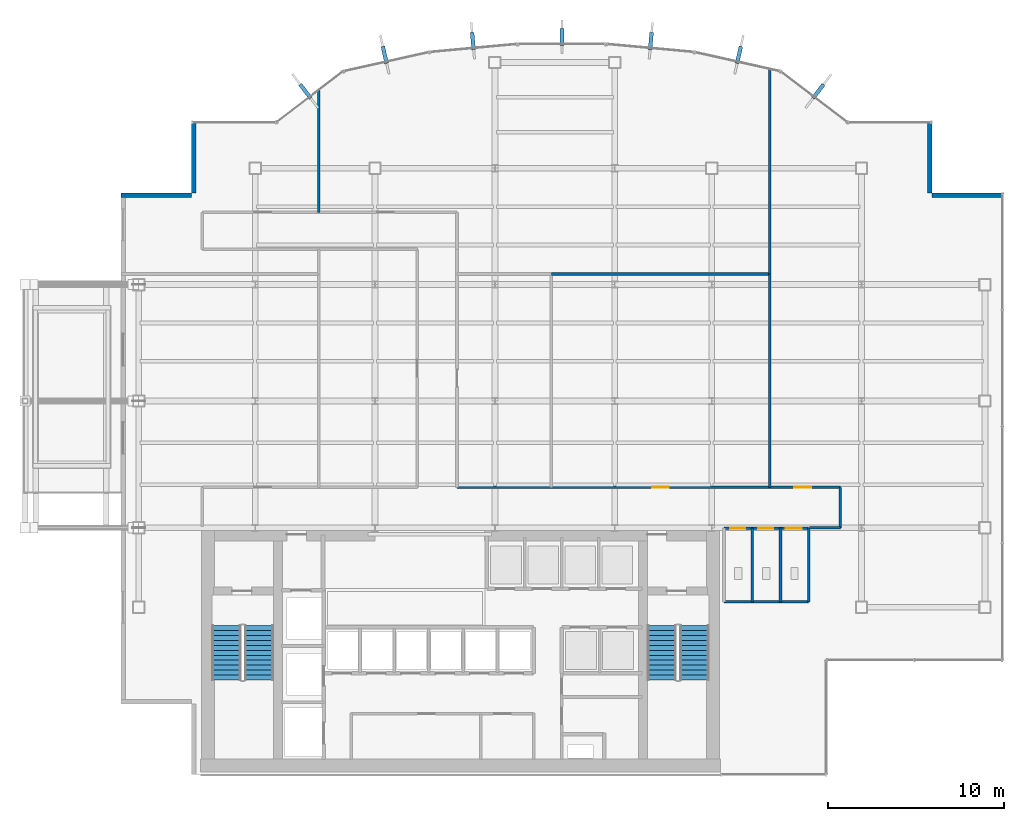
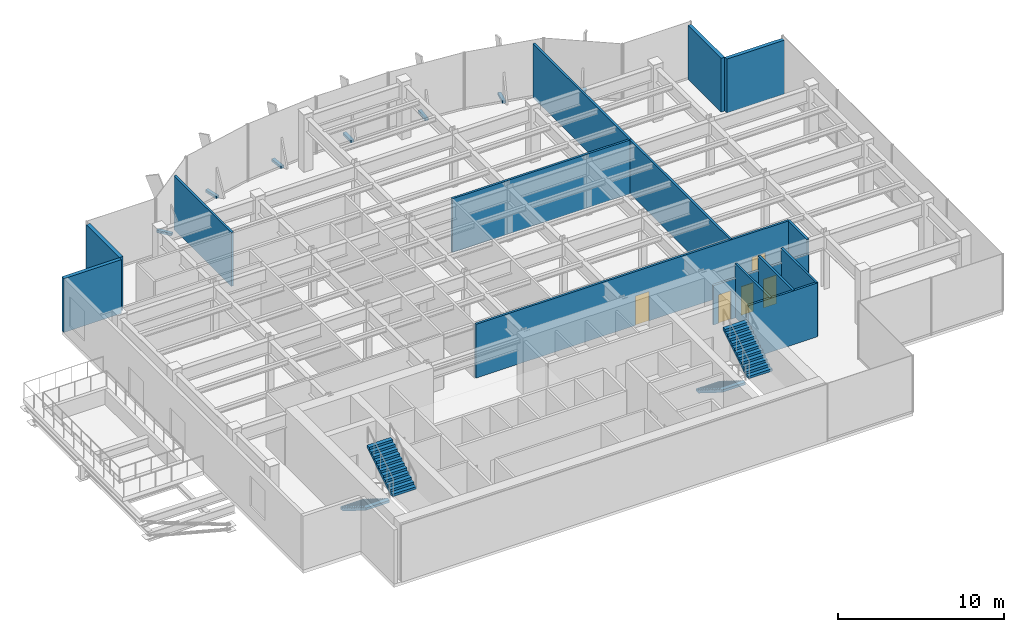
# One storey, part 20 of 26: 16 walls, 7 discrete accessories, 5 doors, 4 stair flights, 5 openings, 2 elements without a shape of their own.
"""IFC4 building model written with IfcOpenShell, lengths in metres."""

from ifc_helpers import new_model, si_unit, derived_unit, direction, frame, frame_2d, origin, origin_2d, place, context, subcontext, project, spatial, polyline, rectangle, outline, extrude, source, transform, mapped, material, layer, layer_set, type_object, element, fill, aggregate, save


model = new_model("IFC4")

# Units and contexts
model_context = context("Model", 3, precision=1e-05, world=origin(), true_north=direction((0.0, 1.0)))
body_context = subcontext(model_context, "Body", "Model", "MODEL_VIEW")
ifc_project = project(units=[si_unit("LENGTHUNIT", "METRE"), si_unit("AREAUNIT", "SQUARE_METRE"), si_unit("VOLUMEUNIT", "CUBIC_METRE"), si_unit("PLANEANGLEUNIT", "RADIAN"), si_unit("MASSUNIT", "GRAM", prefix="KILO"), derived_unit("THERMALTRANSMITTANCEUNIT", [(si_unit("POWERUNIT", "WATT"), 1), (si_unit("LENGTHUNIT", "METRE"), -2), (si_unit("THERMODYNAMICTEMPERATUREUNIT", "KELVIN"), -1)])], contexts=[model_context])

# Site, building, storey
site_placement = place(None, origin())
site = spatial("IfcSite", under=ifc_project, at=site_placement, CompositionType="ELEMENT")
building_placement = place(site_placement, origin())
building = spatial("IfcBuilding", under=site, at=building_placement, Name="Skarnbrae Concourse Arena and Tower", CompositionType="ELEMENT")
storey_placement = place(building_placement, frame((0.0, 0.0, 184.39990234375)))
storey = spatial("IfcBuildingStorey", under=building, at=storey_placement, Name="L47", CompositionType="ELEMENT", Elevation=184.39990234375)

# Walls
ifc_material_1 = material(Name="Precast concrete 40 MPa (C40/50)", Category="concrete")
ifc_layer_1 = layer(ifc_material_1, 0.25)
ifc_layer_set_1 = layer_set([ifc_layer_1], Name="Precast concrete 40 MPa (C40/50)")
wall_type_1 = type_object("IfcWallType", Name="WALL-EXT-SPANDREL-250", PredefinedType="STANDARD", material=ifc_layer_set_1)
shared_shape_1 = source(origin(), body_context, "Body", "SweptSolid", [
    extrude(rectangle(XDim=4.0, YDim=0.25, at=frame_2d((2.0, 0.0))), origin(), (0.0, 0.0, 1.0), 3.9501953125),
])
for number, where, z_axis, x_axis, name in (
    (1, (50.0, 32.875, 0.0), (0.0, 0.0, 1.0), (-1.0, 0.0, 0.0), "L47 Notched corner insulated return wall 05"),
    (2, (45.875, 33.0, 0.0), (0.0, 0.0, 1.0), (0.0, 1.0, 0.0), "L47 Notched corner insulated return wall 06"),
    (3, (4.125, 37.0, 0.0), (0.0, 0.0, 1.0), (0.0, -1.0, 0.0), "L47 Notched corner insulated return wall 16"),
    (4, (4.0, 32.875, 0.0), (0.0, 0.0, 1.0), (-1.0, 0.0, 0.0), "L47 Notched corner insulated return wall 17"),
):
    element("IfcWall", number, at=place(storey_placement, frame(where, z_axis=z_axis, x_axis=x_axis)), inside=storey, type_object=wall_type_1, Name=name, PredefinedType="STANDARD", context=body_context, shape_type="MappedRepresentation", body=[
        mapped(shared_shape_1, transform((0.0, 0.0, 0.0))),
    ])

# Wall, openings, doors
ifc_material_2 = material(Name="Gypsum board on cold-formed steel studs", Category="steel")
ifc_layer_2 = layer(ifc_material_2, 0.14990234375)
ifc_layer_set_2 = layer_set([ifc_layer_2], Name="Gypsum board on cold-formed steel studs")
wall_type_2 = type_object("IfcWallType", Name="WALL-PART-150", PredefinedType="PARTITIONING", material=ifc_layer_set_2)
shared_shape_2 = source(origin(), body_context, "Body", "SweptSolid", [
    extrude(rectangle(XDim=4.800048828125, YDim=0.14990234375, at=frame_2d((2.39990234375, 0.0))), origin(), (0.0, 0.0, 1.0), 2.89501953125),
])
wall_1_placement = place(storey_placement, frame((34.199951171875, 13.97998046875, 0.0), z_axis=(0.0, 0.0, 1.0), x_axis=(1.0, 0.0, 0.0)))
wall_1 = element("IfcWall", 5, at=wall_1_placement, inside=storey, type_object=wall_type_2, Name="L47 Interior partition wall W-L47-WC-N", PredefinedType="PARTITIONING", context=body_context, shape_type="MappedRepresentation", body=[
    mapped(shared_shape_2, transform((0.0, 0.0, 0.0))),
])
opening_1_placement = place(wall_1_placement, frame((0.35009765625, 0.0, 0.0)))
opening_1 = element("IfcOpeningElement", 6, at=opening_1_placement, cuts=wall_1, Name="Opening DT-06", PredefinedType="OPENING", context=body_context, shape_type="SweptSolid", body=[
    extrude(rectangle(XDim=0.85009765625, YDim=2.10009765625, at=frame_2d((0.425048828125, 1.050048828125))), frame((0.0, 0.0849609375, 0.0), z_axis=(0.0, -1.0, 0.0), x_axis=(1.0, 0.0, 0.0)), (0.0, 0.0, 1.0), 0.169921875),
])
opening_2_placement = place(wall_1_placement, frame((1.949951171875, 0.0, 0.0)))
opening_2 = element("IfcOpeningElement", 7, at=opening_2_placement, cuts=wall_1, Name="Opening DT-06", PredefinedType="OPENING", context=body_context, shape_type="SweptSolid", body=[
    extrude(rectangle(XDim=0.85009765625, YDim=2.10009765625, at=frame_2d((0.425048828125, 1.050048828125))), frame((0.0, 0.0849609375, 0.0), z_axis=(0.0, -1.0, 0.0), x_axis=(1.0, 0.0, 0.0)), (0.0, 0.0, 1.0), 0.169921875),
])
opening_3_placement = place(wall_1_placement, frame((3.5, 0.0, 0.0)))
opening_3 = element("IfcOpeningElement", 8, at=opening_3_placement, cuts=wall_1, Name="Opening DT-05", PredefinedType="OPENING", context=body_context, shape_type="SweptSolid", body=[
    extrude(rectangle(XDim=0.89990234375, YDim=2.10009765625, at=frame_2d((0.449951171875, 1.050048828125))), frame((0.0, 0.0849609375, 0.0), z_axis=(0.0, -1.0, 0.0), x_axis=(1.0, 0.0, 0.0)), (0.0, 0.0, 1.0), 0.169921875),
])
ifc_material_3 = material(Name="Architectural oak veneer timber leaf", Category="wood")
door_type_1 = type_object("IfcDoorType", Name="DOOR-INT-850", OperationType="NOTDEFINED", PredefinedType="DOOR", material=ifc_material_3)
shared_shape_3 = source(origin(), body_context, "Body", "SweptSolid", [
    extrude(rectangle(XDim=0.85009765625, YDim=2.10009765625, at=frame_2d((0.425048828125, 1.050048828125))), frame((0.0, 0.02490234375, 0.0), z_axis=(0.0, -1.0, 0.0), x_axis=(1.0, 0.0, 0.0)), (0.0, 0.0, 1.0), 0.050048828125),
])
door_1_placement = place(opening_1_placement, frame((0.85009765625, 0.0, 0.0), z_axis=(0.0, 0.0, 1.0), x_axis=(-1.0, 0.0, 0.0)))
door_1 = element("IfcDoor", 9, at=door_1_placement, inside=storey, type_object=door_type_1, Name="D-1457 Male Washroom Door", OperationType="SINGLE_SWING_LEFT", OverallHeight=2.10009765625, OverallWidth=0.85009765625, PredefinedType="DOOR", context=body_context, shape_type="MappedRepresentation", body=[
    mapped(shared_shape_3, transform((0.0, 0.0, 0.0))),
])
fill(opening_1, door_1)
door_2_placement = place(opening_2_placement, frame((0.85009765625, 0.0, 0.0), z_axis=(0.0, 0.0, 1.0), x_axis=(-1.0, 0.0, 0.0)))
door_2 = element("IfcDoor", 10, at=door_2_placement, inside=storey, type_object=door_type_1, Name="D-1458 Female Washroom Door", OperationType="SINGLE_SWING_RIGHT", OverallHeight=2.10009765625, OverallWidth=0.85009765625, PredefinedType="DOOR", context=body_context, shape_type="MappedRepresentation", body=[
    mapped(shared_shape_3, transform((0.0, 0.0, 0.0))),
])
fill(opening_2, door_2)
door_type_2 = type_object("IfcDoorType", Name="DOOR-INT-900", OperationType="NOTDEFINED", PredefinedType="DOOR", material=ifc_material_3)
shared_shape_4 = source(origin(), body_context, "Body", "SweptSolid", [
    extrude(rectangle(XDim=0.89990234375, YDim=2.10009765625, at=frame_2d((0.449951171875, 1.050048828125))), frame((0.0, 0.02490234375, 0.0), z_axis=(0.0, -1.0, 0.0), x_axis=(1.0, 0.0, 0.0)), (0.0, 0.0, 1.0), 0.050048828125),
])
door_3_placement = place(opening_3_placement, frame((0.89990234375, 0.0, 0.0), z_axis=(0.0, 0.0, 1.0), x_axis=(-1.0, 0.0, 0.0)))
door_3 = element("IfcDoor", 11, at=door_3_placement, inside=storey, type_object=door_type_2, Name="D-1459 Accessible WC Door", OperationType="SINGLE_SWING_LEFT", OverallHeight=2.10009765625, OverallWidth=0.89990234375, PredefinedType="DOOR", context=body_context, shape_type="MappedRepresentation", body=[
    mapped(shared_shape_4, transform((0.0, 0.0, 0.0))),
])
fill(opening_3, door_3)

# Walls
shared_shape_5 = source(origin(), body_context, "Body", "SweptSolid", [
    extrude(rectangle(XDim=4.800048828125, YDim=0.14990234375, at=frame_2d((2.39990234375, 0.0))), origin(), (0.0, 0.0, 1.0), 3.9501953125),
])
wall_2_placement = place(storey_placement, frame((34.199951171875, 9.800048828125, 0.0), z_axis=(0.0, 0.0, 1.0), x_axis=(1.0, 0.0, 0.0)))
element("IfcWall", 12, at=wall_2_placement, inside=storey, type_object=wall_type_2, Name="L47 Interior partition wall W-L47-WC-S", PredefinedType="PARTITIONING", context=body_context, shape_type="MappedRepresentation", body=[
    mapped(shared_shape_5, transform((0.0, 0.0, 0.0))),
])
shared_shape_6 = source(origin(), body_context, "Body", "SweptSolid", [
    extrude(rectangle(XDim=4.179931640625, YDim=0.14990234375, at=frame_2d((2.08984375, 0.0))), origin(), (0.0, 0.0, 1.0), 3.9501953125),
])
for number, where, z_axis, x_axis, name in (
    (13, (39.0, 9.800048828125, 0.0), (0.0, 0.0, 1.0), (0.0, 1.0, 0.0), "L47 Interior partition wall W-L47-WC-E"),
    (14, (35.800048828125, 9.800048828125, 0.0), (0.0, 0.0, 1.0), (0.0, 1.0, 0.0), "L47 Interior partition wall W-L47-WC-D1"),
    (15, (37.39990234375, 9.800048828125, 0.0), (0.0, 0.0, 1.0), (0.0, 1.0, 0.0), "L47 Interior partition wall W-L47-WC-D2"),
):
    element("IfcWall", number, at=place(storey_placement, frame(where, z_axis=z_axis, x_axis=x_axis)), inside=storey, type_object=wall_type_2, Name=name, PredefinedType="PARTITIONING", context=body_context, shape_type="MappedRepresentation", body=[
        mapped(shared_shape_6, transform((0.0, 0.0, 0.0))),
    ])

# Wall, openings, doors
ifc_layer_3 = layer(ifc_material_2, 0.14990234375)
ifc_layer_set_3 = layer_set([ifc_layer_3], Name="Gypsum board on cold-formed steel studs")
wall_type_3 = type_object("IfcWallType", Name="WALL-PART-150-1HR", PredefinedType="PARTITIONING", material=ifc_layer_set_3)
shared_shape_7 = source(origin(), body_context, "Body", "SweptSolid", [
    extrude(rectangle(XDim=21.75, YDim=0.14990234375, at=frame_2d((10.875, 0.0))), origin(), (0.0, 0.0, 1.0), 3.9501953125),
])
wall_3_placement = place(storey_placement, frame((19.050048828125, 16.300048828125, 0.0), z_axis=(0.0, 0.0, 1.0), x_axis=(1.0, 0.0, 0.0)))
wall_3 = element("IfcWall", 16, at=wall_3_placement, inside=storey, type_object=wall_type_3, Name="L47 Interior partition wall W-L47-COR-09", PredefinedType="PARTITIONING", context=body_context, shape_type="MappedRepresentation", body=[
    mapped(shared_shape_7, transform((0.0, 0.0, 0.0))),
])
opening_4_placement = place(wall_3_placement, frame((11.074951171875, 0.0, 0.0)))
opening_4 = element("IfcOpeningElement", 17, at=opening_4_placement, cuts=wall_3, Name="Opening DT-04", PredefinedType="OPENING", context=body_context, shape_type="SweptSolid", body=[
    extrude(rectangle(XDim=0.949951171875, YDim=2.14990234375, at=frame_2d((0.47509765625, 1.074951171875))), frame((0.0, 0.0849609375, 0.0), z_axis=(0.0, -1.0, 0.0), x_axis=(1.0, 0.0, 0.0)), (0.0, 0.0, 1.0), 0.169921875),
])
opening_5_placement = place(wall_3_placement, frame((19.14501953125, 0.0, 0.0)))
opening_5 = element("IfcOpeningElement", 18, at=opening_5_placement, cuts=wall_3, Name="Opening DT-04", PredefinedType="OPENING", context=body_context, shape_type="SweptSolid", body=[
    extrude(rectangle(XDim=0.949951171875, YDim=2.14990234375, at=frame_2d((0.47509765625, 1.074951171875))), frame((0.0, 0.0849609375, 0.0), z_axis=(0.0, -1.0, 0.0), x_axis=(1.0, 0.0, 0.0)), (0.0, 0.0, 1.0), 0.169921875),
])
ifc_material_4 = material(Name="Steel CSA G40.21 350W", Category="steel")
door_type_3 = type_object("IfcDoorType", Name="DOOR-INT-950-45M", OperationType="NOTDEFINED", PredefinedType="DOOR", material=ifc_material_4)
shared_shape_8 = source(origin(), body_context, "Body", "SweptSolid", [
    extrude(rectangle(XDim=0.949951171875, YDim=2.14990234375, at=frame_2d((0.47509765625, 1.074951171875))), frame((0.0, 0.02490234375, 0.0), z_axis=(0.0, -1.0, 0.0), x_axis=(1.0, 0.0, 0.0)), (0.0, 0.0, 1.0), 0.050048828125),
])
door_4_placement = place(opening_4_placement, origin())
door_4 = element("IfcDoor", 19, at=door_4_placement, inside=storey, type_object=door_type_3, Name="D-1465 L47 Suite Door 06", OperationType="SINGLE_SWING_RIGHT", OverallHeight=2.14990234375, OverallWidth=0.949951171875, PredefinedType="DOOR", context=body_context, shape_type="MappedRepresentation", body=[
    mapped(shared_shape_8, transform((0.0, 0.0, 0.0))),
])
fill(opening_4, door_4)
door_5_placement = place(opening_5_placement, origin())
door_5 = element("IfcDoor", 20, at=door_5_placement, inside=storey, type_object=door_type_3, Name="D-1466 L47 Suite Door 07", OperationType="SINGLE_SWING_LEFT", OverallHeight=2.14990234375, OverallWidth=0.949951171875, PredefinedType="DOOR", context=body_context, shape_type="MappedRepresentation", body=[
    mapped(shared_shape_8, transform((0.0, 0.0, 0.0))),
])
fill(opening_5, door_5)

# Walls
shared_shape_9 = source(origin(), body_context, "Body", "SweptSolid", [
    extrude(rectangle(XDim=2.300048828125, YDim=0.14990234375, at=frame_2d((1.14990234375, 0.0))), origin(), (0.0, 0.0, 1.0), 3.9501953125),
])
wall_4_placement = place(storey_placement, frame((40.800048828125, 16.300048828125, 0.0), z_axis=(0.0, 0.0, 1.0), x_axis=(0.0, -1.0, 0.0)))
element("IfcWall", 21, at=wall_4_placement, inside=storey, type_object=wall_type_3, Name="L47 Interior partition wall W-L47-COR-10", PredefinedType="PARTITIONING", context=body_context, shape_type="MappedRepresentation", body=[
    mapped(shared_shape_9, transform((0.0, 0.0, 0.0))),
])
shared_shape_10 = source(origin(), body_context, "Body", "SweptSolid", [
    extrude(rectangle(XDim=1.75, YDim=0.14990234375, at=frame_2d((0.875, 0.0))), origin(), (0.0, 0.0, 1.0), 2.89501953125),
])
wall_5_placement = place(storey_placement, frame((40.800048828125, 14.0, 0.0), z_axis=(0.0, 0.0, 1.0), x_axis=(-1.0, 0.0, 0.0)))
element("IfcWall", 22, at=wall_5_placement, inside=storey, type_object=wall_type_3, Name="L47 Interior partition wall W-L47-COR-11", PredefinedType="PARTITIONING", context=body_context, shape_type="MappedRepresentation", body=[
    mapped(shared_shape_10, transform((0.0, 0.0, 0.0))),
])
shared_shape_11 = source(origin(), body_context, "Body", "SweptSolid", [
    extrude(rectangle(XDim=12.099853515625, YDim=0.14990234375, at=frame_2d((6.0498046875, 0.0))), origin(), (0.0, 0.0, 1.0), 3.9501953125),
])
wall_6_placement = place(storey_placement, frame((36.800048828125, 28.39990234375, 0.0), z_axis=(0.0, 0.0, 1.0), x_axis=(0.0, -1.0, 0.0)))
element("IfcWall", 23, at=wall_6_placement, inside=storey, type_object=wall_type_2, Name="L47 Interior partition wall W-L47-DEM-19", PredefinedType="PARTITIONING", context=body_context, shape_type="MappedRepresentation", body=[
    mapped(shared_shape_11, transform((0.0, 0.0, 0.0))),
])
shared_shape_12 = source(origin(), body_context, "Body", "SweptSolid", [
    extrude(rectangle(XDim=6.906494140625, YDim=0.14990234375, at=frame_2d((3.453125, 0.0))), origin(), (0.0, 0.0, 1.0), 3.9501953125),
])
wall_7_placement = place(storey_placement, frame((11.199951171875, 38.806396484375, 0.0), z_axis=(0.0, 0.0, 1.0), x_axis=(0.0, -1.0, 0.0)))
element("IfcWall", 24, at=wall_7_placement, inside=storey, type_object=wall_type_2, Name="L47 Interior partition wall W-L47-DEM-15", PredefinedType="PARTITIONING", context=body_context, shape_type="MappedRepresentation", body=[
    mapped(shared_shape_12, transform((0.0, 0.0, 0.0))),
])
shared_shape_13 = source(origin(), body_context, "Body", "SweptSolid", [
    extrude(rectangle(XDim=12.400146484375, YDim=0.14990234375, at=frame_2d((6.2001953125, 0.0))), origin(), (0.0, 0.0, 1.0), 3.9501953125),
])
wall_8_placement = place(storey_placement, frame((36.800048828125, 28.39990234375, 0.0), z_axis=(0.0, 0.0, 1.0), x_axis=(-1.0, 0.0, 0.0)))
element("IfcWall", 25, at=wall_8_placement, inside=storey, type_object=wall_type_2, Name="L47 Interior partition wall W-L47-DEM-18", PredefinedType="PARTITIONING", context=body_context, shape_type="MappedRepresentation", body=[
    mapped(shared_shape_13, transform((0.0, 0.0, 0.0))),
])
shared_shape_14 = source(origin(), body_context, "Body", "SweptSolid", [
    extrude(rectangle(XDim=11.6083984375, YDim=0.14990234375, at=frame_2d((5.80419921875, 0.0))), origin(), (0.0, 0.0, 1.0), 3.9501953125),
])
wall_9_placement = place(storey_placement, frame((36.800048828125, 40.00830078125, 0.0), z_axis=(0.0, 0.0, 1.0), x_axis=(0.0, -1.0, 0.0)))
element("IfcWall", 26, at=wall_9_placement, inside=storey, type_object=wall_type_2, Name="L47 Interior partition wall W-L47-DEM-20", PredefinedType="PARTITIONING", context=body_context, shape_type="MappedRepresentation", body=[
    mapped(shared_shape_14, transform((0.0, 0.0, 0.0))),
])

# Stair, stair flights
ifc_material_5 = material(Name="Concrete 40 MPa (C40/50)", Category="concrete")
stair_type = type_object("IfcStairType", Name="STAIR-DOGLEG-1650", PredefinedType="HALF_TURN_STAIR", material=ifc_material_5)
stair_1_placement = place(storey_placement, origin())
stair_1 = element("IfcStair", 27, at=stair_1_placement, inside=storey, type_object=stair_type, Name="L47 Protected Exit Stair ST-1", PredefinedType="HALF_TURN_STAIR")
stair_flight_type = type_object("IfcStairFlightType", Name="FLIGHT-STRAIGHT-1650", PredefinedType="STRAIGHT", material=ifc_material_5)
shared_shape_15 = source(origin(), body_context, "Body", "SweptSolid", [
    extrude(outline(polyline([(0.0, 0.0), (0.0, 0.175048828125), (0.280029296875, 0.175048828125), (0.280029296875, 0.35009765625), (0.56005859375, 0.35009765625), (0.56005859375, 0.52490234375), (0.840087890625, 0.52490234375), (0.840087890625, 0.699951171875), (1.1201171875, 0.699951171875), (1.1201171875, 0.875), (1.39990234375, 0.875), (1.39990234375, 1.050048828125), (1.679931640625, 1.050048828125), (1.679931640625, 1.22509765625), (1.9599609375, 1.22509765625), (1.9599609375, 1.39990234375), (2.239990234375, 1.39990234375), (2.239990234375, 1.574951171875), (2.52001953125, 1.574951171875), (2.52001953125, 1.75), (2.800048828125, 1.75), (2.800048828125, 1.925048828125), (3.080078125, 1.925048828125), (3.080078125, 2.10009765625), (3.080078125, 1.748291015625), (0.28271484375, 0.0), (0.0, 0.0)])), frame((0.0, 0.824951171875, 0.0), z_axis=(0.0, -1.0, 0.0), x_axis=(1.0, 0.0, 0.0)), (0.0, 0.0, 1.0), 1.64990234375),
])
stair_flight_1_placement = place(storey_placement, frame((5.97509765625, 8.449951171875, 0.0), z_axis=(0.0, 0.0, 1.0), x_axis=(0.0, -1.0, 0.0)))
stair_flight_1 = element("IfcStairFlight", 28, at=stair_flight_1_placement, type_object=stair_flight_type, Name="ST-1 flight 1", NumberOfRisers=12, NumberOfTreads=11, PredefinedType="STRAIGHT", RiserHeight=0.175, TreadLength=0.28, context=body_context, shape_type="MappedRepresentation", body=[
    mapped(shared_shape_15, transform((0.0, 0.0, 0.0))),
])
stair_flight_2_placement = place(storey_placement, frame((7.824951171875, 5.3701171875, 2.10009765625), z_axis=(0.0, 0.0, 1.0), x_axis=(0.0, 1.0, 0.0)))
stair_flight_2 = element("IfcStairFlight", 29, at=stair_flight_2_placement, type_object=stair_flight_type, Name="ST-1 flight 2", NumberOfRisers=12, NumberOfTreads=11, PredefinedType="STRAIGHT", RiserHeight=0.175, TreadLength=0.28, context=body_context, shape_type="MappedRepresentation", body=[
    mapped(shared_shape_15, transform((0.0, 0.0, 0.0))),
])
aggregate(stair_1, [stair_flight_1, stair_flight_2])

stair_2_placement = place(storey_placement, origin())
stair_2 = element("IfcStair", 30, at=stair_2_placement, inside=storey, type_object=stair_type, Name="L47 Protected Exit Stair ST-2", PredefinedType="HALF_TURN_STAIR")
stair_flight_3_placement = place(storey_placement, frame((30.675048828125, 8.449951171875, 0.0), z_axis=(0.0, 0.0, 1.0), x_axis=(0.0, -1.0, 0.0)))
stair_flight_3 = element("IfcStairFlight", 31, at=stair_flight_3_placement, type_object=stair_flight_type, Name="ST-2 flight 1", NumberOfRisers=12, NumberOfTreads=11, PredefinedType="STRAIGHT", RiserHeight=0.175, TreadLength=0.28, context=body_context, shape_type="MappedRepresentation", body=[
    mapped(shared_shape_15, transform((0.0, 0.0, 0.0))),
])
stair_flight_4_placement = place(storey_placement, frame((32.52490234375, 5.3701171875, 2.10009765625), z_axis=(0.0, 0.0, 1.0), x_axis=(0.0, 1.0, 0.0)))
stair_flight_4 = element("IfcStairFlight", 32, at=stair_flight_4_placement, type_object=stair_flight_type, Name="ST-2 flight 2", NumberOfRisers=12, NumberOfTreads=11, PredefinedType="STRAIGHT", RiserHeight=0.175, TreadLength=0.28, context=body_context, shape_type="MappedRepresentation", body=[
    mapped(shared_shape_15, transform((0.0, 0.0, 0.0))),
])
aggregate(stair_2, [stair_flight_3, stair_flight_4])

# Discrete accessories
ifc_material_6 = material(Name="Bronze anodised aluminium 6063-T6", Category="aluminium")
discrete_accessory_type = type_object("IfcDiscreteAccessoryType", Name="ACC-FIN-BRACKET", PredefinedType="BRACKET", material=ifc_material_6)
shared_shape_16 = source(origin(), body_context, "Body", "SweptSolid", [
    extrude(rectangle(XDim=0.219970703125, YDim=0.97998046875, at=origin_2d()), origin(), (0.0, 0.0, 1.0), 0.179931640625),
])
for number, where, z_axis, x_axis, name in (
    (33, (39.54736328125, 38.764404296875, -0.02978515625), (0.0, 0.0, 1.0), (0.794954941871, -0.606668476513, 0.0), "L47 Bronze fin foot support bracket 08"),
    (34, (35.048095703125, 40.830078125, -0.02978515625), (0.0, 0.0, 1.0), (0.975935794812, -0.218058075762, 0.0), "L47 Bronze fin foot support bracket 09"),
    (35, (30.04833984375, 41.614501953125, -0.02978515625), (0.0, 0.0, 1.0), (0.99581928833, -0.091345196863, 0.0), "L47 Bronze fin foot support bracket 10"),
    (36, (25.0, 41.845703125, -0.02978515625), (0.0, 0.0, 1.0), (1.0, 0.0, 0.0), "L47 Bronze fin foot support bracket 11"),
    (37, (19.95166015625, 41.614501953125, -0.02978515625), (0.0, 0.0, 1.0), (0.99581928833, 0.091345196863, 0.0), "L47 Bronze fin foot support bracket 12"),
    (38, (14.951904296875, 40.830078125, -0.02978515625), (0.0, 0.0, 1.0), (0.975935794812, 0.218058075762, 0.0), "L47 Bronze fin foot support bracket 13"),
    (39, (10.45263671875, 38.764404296875, -0.02978515625), (0.0, 0.0, 1.0), (0.794954941871, 0.606668476513, 0.0), "L47 Bronze fin foot support bracket 14"),
):
    element("IfcDiscreteAccessory", number, at=place(storey_placement, frame(where, z_axis=z_axis, x_axis=x_axis)), inside=storey, type_object=discrete_accessory_type, Name=name, PredefinedType="BRACKET", context=body_context, shape_type="MappedRepresentation", body=[
        mapped(shared_shape_16, transform((0.0, 0.0, 0.0))),
    ])

save(model, "model.ifc")
